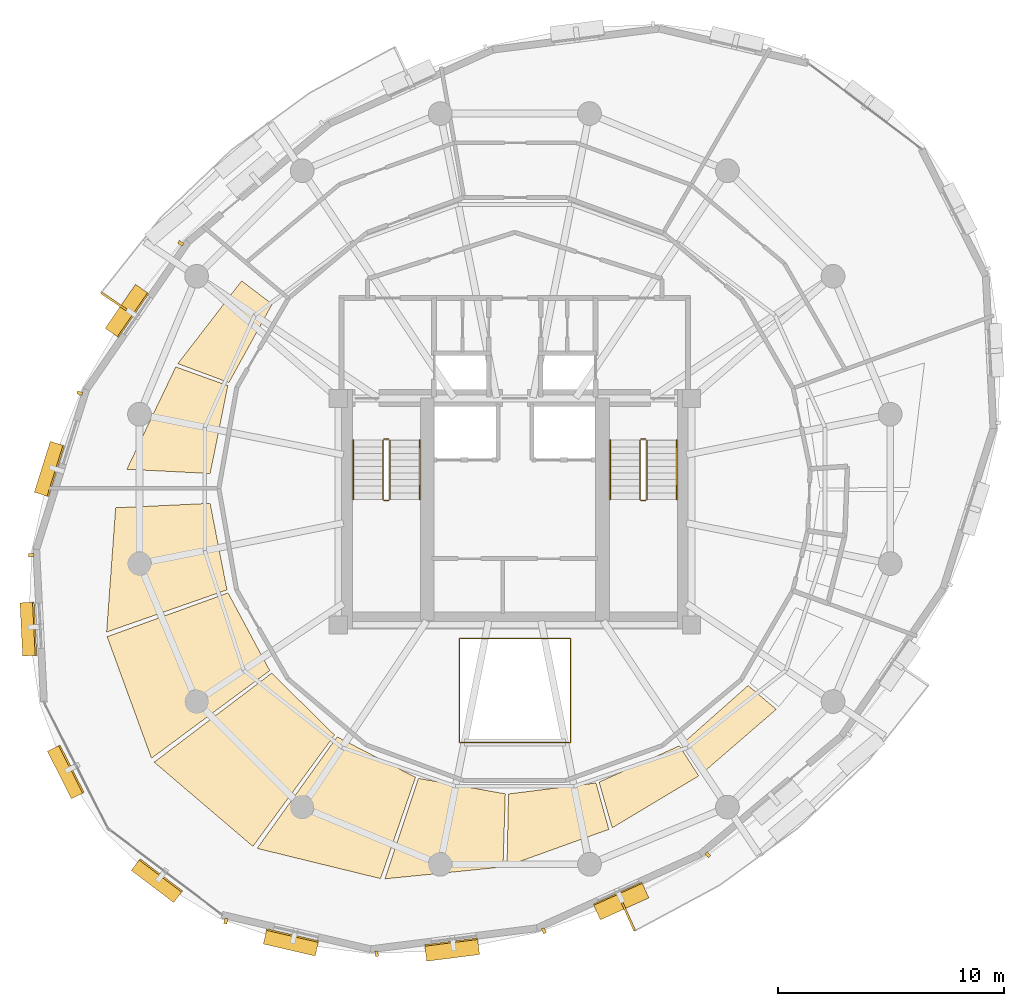
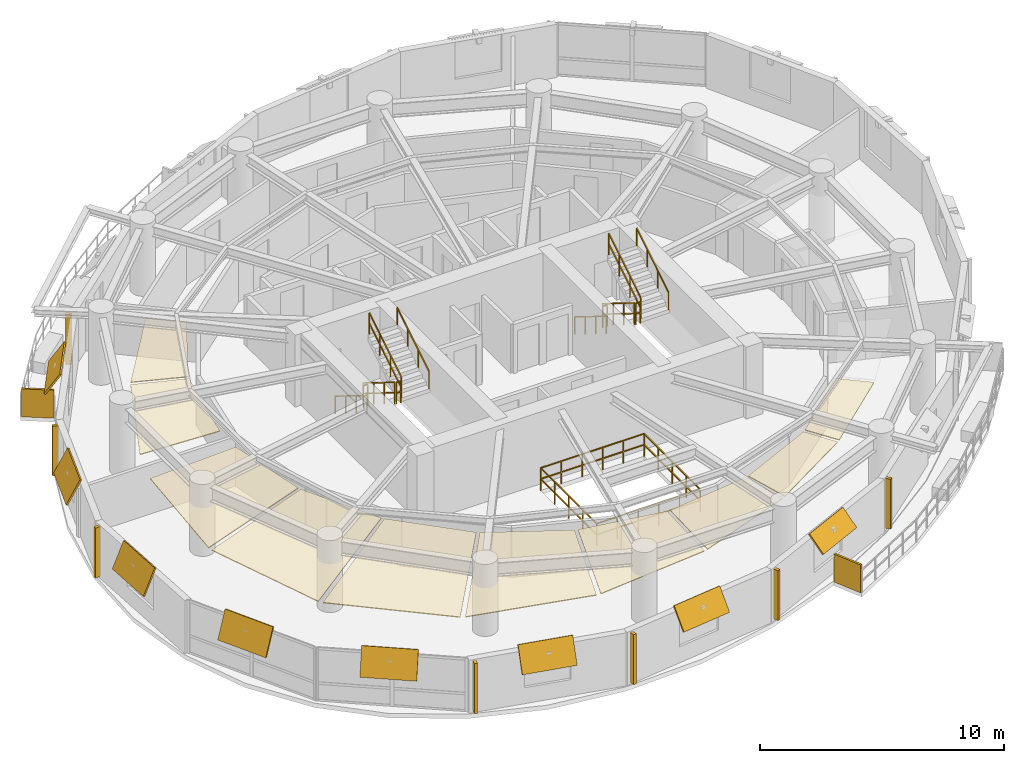
# One storey, part 11 of 12: 17 shading devices, 13 railings, 10 coverings.
"""IFC4 building model written with IfcOpenShell, lengths in metres."""

from ifc_helpers import new_model, si_unit, direction, frame, origin, origin_2d, place, context, subcontext, project, spatial, polyline, rectangle, outline, extrude, material, layer, layer_set, type_object, element, save


model = new_model("IFC4")

# Units and contexts
model_context = context("Model", 3, precision=1e-05, world=origin(), true_north=direction((0.0, 1.0)))
body_context = subcontext(model_context, "Body", "Model", "MODEL_VIEW")
ifc_project = project(units=[si_unit("LENGTHUNIT", "METRE"), si_unit("AREAUNIT", "SQUARE_METRE"), si_unit("VOLUMEUNIT", "CUBIC_METRE"), si_unit("PLANEANGLEUNIT", "RADIAN"), si_unit("MASSUNIT", "GRAM", prefix="KILO"), si_unit("THERMODYNAMICTEMPERATUREUNIT", "KELVIN"), si_unit("POWERUNIT", "WATT")], contexts=[model_context])

# Site, building, storey
site_placement = place(None, origin())
site = spatial("IfcSite", under=ifc_project, at=site_placement, CompositionType="ELEMENT")
building_placement = place(site_placement, origin())
building = spatial("IfcBuilding", under=site, at=building_placement, Name="Ocrelia Relay Tower", CompositionType="ELEMENT")
storey_placement = place(building_placement, frame((0.0, 0.0, 198.800048828125)))
storey = spatial("IfcBuildingStorey", under=building, at=storey_placement, Name="L48", CompositionType="ELEMENT", Elevation=198.800048828125)

# Coverings
ifc_material_1 = material(Name="Mineral-fiber acoustic ceiling tile", Category="gypsum")
ifc_layer_1 = layer(ifc_material_1, 0.0400390625, Name="Mineral-fiber acoustic ceiling tile")
ifc_layer_set_1 = layer_set([ifc_layer_1], Name="Mineral-fiber acoustic ceiling tile")
covering_type = type_object("IfcCoveringType", Name="COV-CEIL-ACOUSTIC", PredefinedType="CEILING", material=ifc_layer_set_1)
covering_1_placement = place(storey_placement, frame((0.0, 0.0, 2.3798828125)))
element("IfcCovering", 1, at=covering_1_placement, inside=storey, type_object=covering_type, Name="L48 Platform Office E Suspended Ceiling 1", PredefinedType="CEILING", context=body_context, shape_type="SweptSolid", body=[
    extrude(outline(polyline([(23.284912109375, 34.16259765625), (21.937744140625, 35.18896484375), (19.118896484375, 31.5341796875), (21.374755859375, 30.6953125), (23.284912109375, 34.16259765625)])), origin(), (0.0, 0.0, 1.0), 0.0400390625),
])
covering_2_placement = place(storey_placement, frame((0.0, 0.0, 2.3798828125)))
element("IfcCovering", 2, at=covering_2_placement, inside=storey, type_object=covering_type, Name="L48 Platform Office E Suspended Ceiling 2", PredefinedType="CEILING", context=body_context, shape_type="SweptSolid", body=[
    extrude(outline(polyline([(21.326416015625, 30.562744140625), (19.028564453125, 31.39013671875), (16.8662109375, 26.867919921875), (20.54736328125, 26.681396484375), (21.326416015625, 30.562744140625)])), origin(), (0.0, 0.0, 1.0), 0.0400390625),
])
covering_3_placement = place(storey_placement, frame((0.0, 0.0, 2.3798828125)))
element("IfcCovering", 3, at=covering_3_placement, inside=storey, type_object=covering_type, Name="L48 Monitoring Office F Suspended Ceiling 1", PredefinedType="CEILING", context=body_context, shape_type="SweptSolid", body=[
    extrude(outline(polyline([(20.544921875, 25.365478515625), (16.37158203125, 25.168701171875), (15.972900390625, 19.67919921875), (21.288818359375, 21.54296875), (20.544921875, 25.365478515625)])), origin(), (0.0, 0.0, 1.0), 0.0400390625),
])
covering_4_placement = place(storey_placement, frame((0.0, 0.0, 2.3798828125)))
element("IfcCovering", 4, at=covering_4_placement, inside=storey, type_object=covering_type, Name="L48 Monitoring Office F Suspended Ceiling 2", PredefinedType="CEILING", context=body_context, shape_type="SweptSolid", body=[
    extrude(outline(polyline([(21.336181640625, 21.41015625), (15.996337890625, 19.474853515625), (17.95361328125, 14.10693359375), (23.17822265625, 17.979248046875), (21.336181640625, 21.41015625)])), origin(), (0.0, 0.0, 1.0), 0.0400390625),
])
covering_5_placement = place(storey_placement, frame((0.0, 0.0, 2.3798828125)))
element("IfcCovering", 5, at=covering_5_placement, inside=storey, type_object=covering_type, Name="L48 Monitoring Office F Suspended Ceiling 3", PredefinedType="CEILING", context=body_context, shape_type="SweptSolid", body=[
    extrude(outline(polyline([(23.262939453125, 17.866455078125), (18.072021484375, 13.934326171875), (22.43408203125, 10.21630859375), (26.0380859375, 15.135009765625), (23.262939453125, 17.866455078125)])), origin(), (0.0, 0.0, 1.0), 0.0400390625),
])
covering_6_placement = place(storey_placement, frame((0.0, 0.0, 2.3798828125)))
element("IfcCovering", 6, at=covering_6_placement, inside=storey, type_object=covering_type, Name="L48 Monitoring Office F Suspended Ceiling 4", PredefinedType="CEILING", context=body_context, shape_type="SweptSolid", body=[
    extrude(outline(polyline([(26.15234375, 15.052001953125), (22.62109375, 10.12548828125), (28.07080078125, 8.791259765625), (29.612060546875, 13.2646484375), (26.15234375, 15.052001953125)])), origin(), (0.0, 0.0, 1.0), 0.0400390625),
])
covering_7_placement = place(storey_placement, frame((0.0, 0.0, 2.3798828125)))
element("IfcCovering", 7, at=covering_7_placement, inside=storey, type_object=covering_type, Name="L48 Monitoring Office F Suspended Ceiling 5", PredefinedType="CEILING", context=body_context, shape_type="SweptSolid", body=[
    extrude(outline(polyline([(29.74560546875, 13.219482421875), (28.2685546875, 8.78173828125), (33.478515625, 9.30517578125), (33.57958984375, 12.53662109375), (29.74560546875, 13.219482421875)])), origin(), (0.0, 0.0, 1.0), 0.0400390625),
])
covering_8_placement = place(storey_placement, frame((0.0, 0.0, 2.3798828125)))
element("IfcCovering", 8, at=covering_8_placement, inside=storey, type_object=covering_type, Name="L48 Monitoring Office F Suspended Ceiling 6", PredefinedType="CEILING", context=body_context, shape_type="SweptSolid", body=[
    extrude(outline(polyline([(33.720458984375, 12.532958984375), (33.654296875, 9.347412109375), (38.150390625, 10.9658203125), (37.584716796875, 13.015625), (33.720458984375, 12.532958984375)])), origin(), (0.0, 0.0, 1.0), 0.0400390625),
])
covering_9_placement = place(storey_placement, frame((0.0, 0.0, 2.3798828125)))
element("IfcCovering", 9, at=covering_9_placement, inside=storey, type_object=covering_type, Name="L48 Monitoring Office F Suspended Ceiling 7", PredefinedType="CEILING", context=body_context, shape_type="SweptSolid", body=[
    extrude(outline(polyline([(37.720458984375, 13.053955078125), (38.2998046875, 11.03759765625), (42.1220703125, 13.326904296875), (41.268310546875, 14.6591796875), (37.720458984375, 13.053955078125)])), origin(), (0.0, 0.0, 1.0), 0.0400390625),
])
covering_10_placement = place(storey_placement, frame((0.0, 0.0, 2.3798828125)))
element("IfcCovering", 10, at=covering_10_placement, inside=storey, type_object=covering_type, Name="L48 Monitoring Office F Suspended Ceiling 8", PredefinedType="CEILING", context=body_context, shape_type="SweptSolid", body=[
    extrude(outline(polyline([(41.38671875, 14.73583984375), (42.249755859375, 13.419677734375), (45.546142578125, 16.26953125), (44.300048828125, 17.319580078125), (41.38671875, 14.73583984375)])), origin(), (0.0, 0.0, 1.0), 0.0400390625),
])

# Railings
ifc_material_2 = material(Name="Steel S355 atrium balustrade", Category="steel")
railing_type_1 = type_object("IfcRailingType", Name="RL-INT-GUARD-115", PredefinedType="GUARDRAIL", material=ifc_material_2)
railing_1_placement = place(storey_placement, frame((31.550048828125, 14.800048828125, 0.0)))
element("IfcRailing", 11, at=railing_1_placement, inside=storey, type_object=railing_type_1, Name="L48 Multi-Zone Interior Atrium Guard", PredefinedType="GUARDRAIL", context=body_context, shape_type="SweptSolid", body=[
    extrude(rectangle(XDim=0.048095703125, YDim=0.048095703125, at=origin_2d()), frame((0.0, 0.0, 1.1259765625), z_axis=(1.0, 0.0, 0.0), x_axis=(0.0, 1.0, 0.0)), (0.0, 0.0, 1.0), 4.89990234375),
    extrude(rectangle(XDim=0.048095703125, YDim=0.048095703125, at=origin_2d()), frame((0.0, 0.0, 0.574951171875), z_axis=(1.0, 0.0, 0.0), x_axis=(0.0, 1.0, 0.0)), (0.0, 0.0, 1.0), 4.89990234375),
    extrude(rectangle(XDim=0.048095703125, YDim=0.048095703125, at=origin_2d()), frame((4.89990234375, 0.0, 1.1259765625), z_axis=(0.0, 1.0, 0.0), x_axis=(-1.0, 0.0, 0.0)), (0.0, 0.0, 1.0), 4.599853515625),
    extrude(rectangle(XDim=0.048095703125, YDim=0.048095703125, at=origin_2d()), frame((4.89990234375, 0.0, 0.574951171875), z_axis=(0.0, 1.0, 0.0), x_axis=(-1.0, 0.0, 0.0)), (0.0, 0.0, 1.0), 4.599853515625),
    extrude(rectangle(XDim=0.048095703125, YDim=0.048095703125, at=origin_2d()), frame((4.89990234375, 4.599853515625, 1.1259765625), z_axis=(-1.0, 0.0, 0.0), x_axis=(0.0, -1.0, 0.0)), (0.0, 0.0, 1.0), 4.89990234375),
    extrude(rectangle(XDim=0.048095703125, YDim=0.048095703125, at=origin_2d()), frame((4.89990234375, 4.599853515625, 0.574951171875), z_axis=(-1.0, 0.0, 0.0), x_axis=(0.0, -1.0, 0.0)), (0.0, 0.0, 1.0), 4.89990234375),
    extrude(rectangle(XDim=0.048095703125, YDim=0.048095703125, at=origin_2d()), frame((0.0, 4.599853515625, 1.1259765625), z_axis=(0.0, -1.0, 0.0), x_axis=(1.0, 0.0, 0.0)), (0.0, 0.0, 1.0), 4.599853515625),
    extrude(rectangle(XDim=0.048095703125, YDim=0.048095703125, at=origin_2d()), frame((0.0, 4.599853515625, 0.574951171875), z_axis=(0.0, -1.0, 0.0), x_axis=(1.0, 0.0, 0.0)), (0.0, 0.0, 1.0), 4.599853515625),
    extrude(rectangle(XDim=0.0419921875, YDim=0.0419921875, at=origin_2d()), origin(), (0.0, 0.0, 1.0), 1.101806640625),
    extrude(rectangle(XDim=0.0419921875, YDim=0.0419921875, at=origin_2d()), frame((0.97998046875, 0.0, 0.0)), (0.0, 0.0, 1.0), 1.101806640625),
    extrude(rectangle(XDim=0.0419921875, YDim=0.0419921875, at=origin_2d()), frame((1.9599609375, 0.0, 0.0)), (0.0, 0.0, 1.0), 1.101806640625),
    extrude(rectangle(XDim=0.0419921875, YDim=0.0419921875, at=origin_2d()), frame((2.93994140625, 0.0, 0.0)), (0.0, 0.0, 1.0), 1.101806640625),
    extrude(rectangle(XDim=0.0419921875, YDim=0.0419921875, at=origin_2d()), frame((3.919921875, 0.0, 0.0)), (0.0, 0.0, 1.0), 1.101806640625),
    extrude(rectangle(XDim=0.0419921875, YDim=0.0419921875, at=origin_2d()), frame((4.89990234375, 0.0, 0.0)), (0.0, 0.0, 1.0), 1.101806640625),
    extrude(rectangle(XDim=0.0419921875, YDim=0.0419921875, at=origin_2d()), frame((4.89990234375, 1.14990234375, 0.0)), (0.0, 0.0, 1.0), 1.101806640625),
    extrude(rectangle(XDim=0.0419921875, YDim=0.0419921875, at=origin_2d()), frame((4.89990234375, 2.2998046875, 0.0)), (0.0, 0.0, 1.0), 1.101806640625),
    extrude(rectangle(XDim=0.0419921875, YDim=0.0419921875, at=origin_2d()), frame((4.89990234375, 3.449951171875, 0.0)), (0.0, 0.0, 1.0), 1.101806640625),
    extrude(rectangle(XDim=0.0419921875, YDim=0.0419921875, at=origin_2d()), frame((4.89990234375, 4.599853515625, 0.0)), (0.0, 0.0, 1.0), 1.101806640625),
    extrude(rectangle(XDim=0.0419921875, YDim=0.0419921875, at=origin_2d()), frame((3.919921875, 4.599853515625, 0.0)), (0.0, 0.0, 1.0), 1.101806640625),
    extrude(rectangle(XDim=0.0419921875, YDim=0.0419921875, at=origin_2d()), frame((2.93994140625, 4.599853515625, 0.0)), (0.0, 0.0, 1.0), 1.101806640625),
    extrude(rectangle(XDim=0.0419921875, YDim=0.0419921875, at=origin_2d()), frame((1.9599609375, 4.599853515625, 0.0)), (0.0, 0.0, 1.0), 1.101806640625),
    extrude(rectangle(XDim=0.0419921875, YDim=0.0419921875, at=origin_2d()), frame((0.97998046875, 4.599853515625, 0.0)), (0.0, 0.0, 1.0), 1.101806640625),
    extrude(rectangle(XDim=0.0419921875, YDim=0.0419921875, at=origin_2d()), frame((0.0, 4.599853515625, 0.0)), (0.0, 0.0, 1.0), 1.101806640625),
    extrude(rectangle(XDim=0.0419921875, YDim=0.0419921875, at=origin_2d()), frame((0.0, 3.449951171875, 0.0)), (0.0, 0.0, 1.0), 1.101806640625),
    extrude(rectangle(XDim=0.0419921875, YDim=0.0419921875, at=origin_2d()), frame((0.0, 2.2998046875, 0.0)), (0.0, 0.0, 1.0), 1.101806640625),
    extrude(rectangle(XDim=0.0419921875, YDim=0.0419921875, at=origin_2d()), frame((0.0, 1.14990234375, 0.0)), (0.0, 0.0, 1.0), 1.101806640625),
])
ifc_material_3 = material(Name="Steel S355 balustrade", Category="steel")
railing_type_2 = type_object("IfcRailingType", Name="RL-STAIR-GUARD", PredefinedType="GUARDRAIL", material=ifc_material_3)
railing_2_placement = place(storey_placement, frame((28.179931640625, 28.14990234375, 0.179931640625)))
element("IfcRailing", 12, at=railing_2_placement, inside=storey, type_object=railing_type_2, Name="L48 ST1 stair guard 1", PredefinedType="GUARDRAIL", context=body_context, shape_type="SweptSolid", body=[
    extrude(rectangle(XDim=0.048095703125, YDim=0.048095703125, at=origin_2d()), frame((0.0, 0.0, 1.076171875), z_axis=(0.0, -0.849610693518, 0.52741034258), x_axis=(1.0, 0.0, 0.0)), (0.0, 0.0, 1.0), 3.07177734375),
    extrude(rectangle(XDim=0.048095703125, YDim=0.048095703125, at=origin_2d()), frame((0.0, 0.0, 0.550048828125), z_axis=(0.0, -0.849610693518, 0.52741034258), x_axis=(1.0, 0.0, 0.0)), (0.0, 0.0, 1.0), 3.07177734375),
    extrude(rectangle(XDim=0.0419921875, YDim=0.0419921875, at=origin_2d()), origin(), (0.0, 0.0, 1.0), 1.052001953125),
    extrude(rectangle(XDim=0.0419921875, YDim=0.0419921875, at=origin_2d()), frame((0.0, -0.869873046875, 0.5400390625)), (0.0, 0.0, 1.0), 1.052001953125),
    extrude(rectangle(XDim=0.0419921875, YDim=0.0419921875, at=origin_2d()), frame((0.0, -1.739990234375, 1.080078125)), (0.0, 0.0, 1.0), 1.052001953125),
    extrude(rectangle(XDim=0.0419921875, YDim=0.0419921875, at=origin_2d()), frame((0.0, -2.60986328125, 1.6201171875)), (0.0, 0.0, 1.0), 1.052001953125),
])
railing_3_placement = place(storey_placement, frame((28.22998046875, 25.489990234375, 1.800048828125)))
element("IfcRailing", 13, at=railing_3_placement, inside=storey, type_object=railing_type_2, Name="L48 ST1 stair guard 2", PredefinedType="GUARDRAIL", context=body_context, shape_type="SweptSolid", body=[
    extrude(rectangle(XDim=0.048095703125, YDim=0.048095703125, at=origin_2d()), frame((0.0, 0.0, 1.076171875), z_axis=(1.0, 0.0, 0.0), x_axis=(0.0, 1.0, 0.0)), (0.0, 0.0, 1.0), 0.199951171875),
    extrude(rectangle(XDim=0.048095703125, YDim=0.048095703125, at=origin_2d()), frame((0.0, 0.0, 0.550048828125), z_axis=(1.0, 0.0, 0.0), x_axis=(0.0, 1.0, 0.0)), (0.0, 0.0, 1.0), 0.199951171875),
    extrude(rectangle(XDim=0.0419921875, YDim=0.0419921875, at=origin_2d()), origin(), (0.0, 0.0, 1.0), 1.052001953125),
    extrude(rectangle(XDim=0.0419921875, YDim=0.0419921875, at=origin_2d()), frame((0.199951171875, 0.0, 0.0)), (0.0, 0.0, 1.0), 1.052001953125),
])
railing_4_placement = place(storey_placement, frame((28.47998046875, 25.5400390625, 1.97998046875)))
element("IfcRailing", 14, at=railing_4_placement, inside=storey, type_object=railing_type_2, Name="L48 ST1 stair guard 3", PredefinedType="GUARDRAIL", context=body_context, shape_type="SweptSolid", body=[
    extrude(rectangle(XDim=0.048095703125, YDim=0.048095703125, at=origin_2d()), frame((0.0, 0.0, 1.076171875), z_axis=(0.0, 0.849646306263, 0.527352969322), x_axis=(-1.0, 0.0, 0.0)), (0.0, 0.0, 1.0), 3.07177734375),
    extrude(rectangle(XDim=0.048095703125, YDim=0.048095703125, at=origin_2d()), frame((0.0, 0.0, 0.550048828125), z_axis=(0.0, 0.849646306263, 0.527352969322), x_axis=(-1.0, 0.0, 0.0)), (0.0, 0.0, 1.0), 3.07177734375),
    extrude(rectangle(XDim=0.0419921875, YDim=0.0419921875, at=origin_2d()), origin(), (0.0, 0.0, 1.0), 1.052001953125),
    extrude(rectangle(XDim=0.0419921875, YDim=0.0419921875, at=origin_2d()), frame((0.0, 0.869873046875, 0.5400390625)), (0.0, 0.0, 1.0), 1.052001953125),
    extrude(rectangle(XDim=0.0419921875, YDim=0.0419921875, at=origin_2d()), frame((0.0, 1.739990234375, 1.079833984375)), (0.0, 0.0, 1.0), 1.052001953125),
    extrude(rectangle(XDim=0.0419921875, YDim=0.0419921875, at=origin_2d()), frame((0.0, 2.60986328125, 1.619873046875)), (0.0, 0.0, 1.0), 1.052001953125),
])
railing_5_placement = place(storey_placement, frame((28.22998046875, 28.199951171875, 0.0)))
element("IfcRailing", 15, at=railing_5_placement, inside=storey, type_object=railing_type_2, Name="L48 ST1 stair guard 4", PredefinedType="GUARDRAIL", context=body_context, shape_type="SweptSolid", body=[
    extrude(rectangle(XDim=0.048095703125, YDim=0.048095703125, at=origin_2d()), frame((0.0, 0.0, 1.076171875), z_axis=(1.0, 0.0, 0.0), x_axis=(0.0, 1.0, 0.0)), (0.0, 0.0, 1.0), 0.199951171875),
    extrude(rectangle(XDim=0.048095703125, YDim=0.048095703125, at=origin_2d()), frame((0.0, 0.0, 0.550048828125), z_axis=(1.0, 0.0, 0.0), x_axis=(0.0, 1.0, 0.0)), (0.0, 0.0, 1.0), 0.199951171875),
    extrude(rectangle(XDim=0.0419921875, YDim=0.0419921875, at=origin_2d()), origin(), (0.0, 0.0, 1.0), 1.052001953125),
    extrude(rectangle(XDim=0.0419921875, YDim=0.0419921875, at=origin_2d()), frame((0.199951171875, 0.0, 0.0)), (0.0, 0.0, 1.0), 1.052001953125),
])
railing_6_placement = place(storey_placement, frame((39.530029296875, 28.14990234375, 0.179931640625)))
element("IfcRailing", 16, at=railing_6_placement, inside=storey, type_object=railing_type_2, Name="L48 ST2 stair guard 1", PredefinedType="GUARDRAIL", context=body_context, shape_type="SweptSolid", body=[
    extrude(rectangle(XDim=0.048095703125, YDim=0.048095703125, at=origin_2d()), frame((0.0, 0.0, 1.076171875), z_axis=(0.0, -0.849610693518, 0.52741034258), x_axis=(1.0, 0.0, 0.0)), (0.0, 0.0, 1.0), 3.07177734375),
    extrude(rectangle(XDim=0.048095703125, YDim=0.048095703125, at=origin_2d()), frame((0.0, 0.0, 0.550048828125), z_axis=(0.0, -0.849610693518, 0.52741034258), x_axis=(1.0, 0.0, 0.0)), (0.0, 0.0, 1.0), 3.07177734375),
    extrude(rectangle(XDim=0.0419921875, YDim=0.0419921875, at=origin_2d()), origin(), (0.0, 0.0, 1.0), 1.052001953125),
    extrude(rectangle(XDim=0.0419921875, YDim=0.0419921875, at=origin_2d()), frame((0.0, -0.869873046875, 0.5400390625)), (0.0, 0.0, 1.0), 1.052001953125),
    extrude(rectangle(XDim=0.0419921875, YDim=0.0419921875, at=origin_2d()), frame((0.0, -1.739990234375, 1.080078125)), (0.0, 0.0, 1.0), 1.052001953125),
    extrude(rectangle(XDim=0.0419921875, YDim=0.0419921875, at=origin_2d()), frame((0.0, -2.60986328125, 1.6201171875)), (0.0, 0.0, 1.0), 1.052001953125),
])
railing_7_placement = place(storey_placement, frame((39.580078125, 25.489990234375, 1.800048828125)))
element("IfcRailing", 17, at=railing_7_placement, inside=storey, type_object=railing_type_2, Name="L48 ST2 stair guard 2", PredefinedType="GUARDRAIL", context=body_context, shape_type="SweptSolid", body=[
    extrude(rectangle(XDim=0.048095703125, YDim=0.048095703125, at=origin_2d()), frame((0.0, 0.0, 1.076171875), z_axis=(1.0, 0.0, 0.0), x_axis=(0.0, 1.0, 0.0)), (0.0, 0.0, 1.0), 0.199951171875),
    extrude(rectangle(XDim=0.048095703125, YDim=0.048095703125, at=origin_2d()), frame((0.0, 0.0, 0.550048828125), z_axis=(1.0, 0.0, 0.0), x_axis=(0.0, 1.0, 0.0)), (0.0, 0.0, 1.0), 0.199951171875),
    extrude(rectangle(XDim=0.0419921875, YDim=0.0419921875, at=origin_2d()), origin(), (0.0, 0.0, 1.0), 1.052001953125),
    extrude(rectangle(XDim=0.0419921875, YDim=0.0419921875, at=origin_2d()), frame((0.199951171875, 0.0, 0.0)), (0.0, 0.0, 1.0), 1.052001953125),
])
railing_8_placement = place(storey_placement, frame((39.830078125, 25.5400390625, 1.97998046875)))
element("IfcRailing", 18, at=railing_8_placement, inside=storey, type_object=railing_type_2, Name="L48 ST2 stair guard 3", PredefinedType="GUARDRAIL", context=body_context, shape_type="SweptSolid", body=[
    extrude(rectangle(XDim=0.048095703125, YDim=0.048095703125, at=origin_2d()), frame((0.0, 0.0, 1.076171875), z_axis=(0.0, 0.849646306263, 0.527352969322), x_axis=(-1.0, 0.0, 0.0)), (0.0, 0.0, 1.0), 3.07177734375),
    extrude(rectangle(XDim=0.048095703125, YDim=0.048095703125, at=origin_2d()), frame((0.0, 0.0, 0.550048828125), z_axis=(0.0, 0.849646306263, 0.527352969322), x_axis=(-1.0, 0.0, 0.0)), (0.0, 0.0, 1.0), 3.07177734375),
    extrude(rectangle(XDim=0.0419921875, YDim=0.0419921875, at=origin_2d()), origin(), (0.0, 0.0, 1.0), 1.052001953125),
    extrude(rectangle(XDim=0.0419921875, YDim=0.0419921875, at=origin_2d()), frame((0.0, 0.869873046875, 0.5400390625)), (0.0, 0.0, 1.0), 1.052001953125),
    extrude(rectangle(XDim=0.0419921875, YDim=0.0419921875, at=origin_2d()), frame((0.0, 1.739990234375, 1.079833984375)), (0.0, 0.0, 1.0), 1.052001953125),
    extrude(rectangle(XDim=0.0419921875, YDim=0.0419921875, at=origin_2d()), frame((0.0, 2.60986328125, 1.619873046875)), (0.0, 0.0, 1.0), 1.052001953125),
])
railing_9_placement = place(storey_placement, frame((39.580078125, 28.199951171875, 0.0)))
element("IfcRailing", 19, at=railing_9_placement, inside=storey, type_object=railing_type_2, Name="L48 ST2 stair guard 4", PredefinedType="GUARDRAIL", context=body_context, shape_type="SweptSolid", body=[
    extrude(rectangle(XDim=0.048095703125, YDim=0.048095703125, at=origin_2d()), frame((0.0, 0.0, 1.076171875), z_axis=(1.0, 0.0, 0.0), x_axis=(0.0, 1.0, 0.0)), (0.0, 0.0, 1.0), 0.199951171875),
    extrude(rectangle(XDim=0.048095703125, YDim=0.048095703125, at=origin_2d()), frame((0.0, 0.0, 0.550048828125), z_axis=(1.0, 0.0, 0.0), x_axis=(0.0, 1.0, 0.0)), (0.0, 0.0, 1.0), 0.199951171875),
    extrude(rectangle(XDim=0.0419921875, YDim=0.0419921875, at=origin_2d()), origin(), (0.0, 0.0, 1.0), 1.052001953125),
    extrude(rectangle(XDim=0.0419921875, YDim=0.0419921875, at=origin_2d()), frame((0.199951171875, 0.0, 0.0)), (0.0, 0.0, 1.0), 1.052001953125),
])
ifc_material_4 = material(Name="Steel S355 tubular handrail", Category="steel")
railing_type_3 = type_object("IfcRailingType", Name="RL-STAIR-HAND", PredefinedType="HANDRAIL", material=ifc_material_4)
railing_10_placement = place(storey_placement, frame((26.860107421875, 28.14990234375, 0.179931640625)))
element("IfcRailing", 20, at=railing_10_placement, inside=storey, type_object=railing_type_3, Name="L48 ST1 stair handrail 1", PredefinedType="HANDRAIL", context=body_context, shape_type="SweptSolid", body=[
    extrude(rectangle(XDim=0.048095703125, YDim=0.048095703125, at=origin_2d()), frame((0.0, 0.0, 0.8759765625), z_axis=(0.0, -0.849610693518, 0.52741034258), x_axis=(1.0, 0.0, 0.0)), (0.0, 0.0, 1.0), 3.07177734375),
    extrude(rectangle(XDim=0.0419921875, YDim=0.0419921875, at=origin_2d()), origin(), (0.0, 0.0, 1.0), 0.851806640625),
    extrude(rectangle(XDim=0.0419921875, YDim=0.0419921875, at=origin_2d()), frame((0.0, -0.869873046875, 0.5400390625)), (0.0, 0.0, 1.0), 0.851806640625),
    extrude(rectangle(XDim=0.0419921875, YDim=0.0419921875, at=origin_2d()), frame((0.0, -1.739990234375, 1.080078125)), (0.0, 0.0, 1.0), 0.851806640625),
    extrude(rectangle(XDim=0.0419921875, YDim=0.0419921875, at=origin_2d()), frame((0.0, -2.60986328125, 1.6201171875)), (0.0, 0.0, 1.0), 0.851806640625),
])
railing_11_placement = place(storey_placement, frame((29.800048828125, 25.5400390625, 1.97998046875)))
element("IfcRailing", 21, at=railing_11_placement, inside=storey, type_object=railing_type_3, Name="L48 ST1 stair handrail 2", PredefinedType="HANDRAIL", context=body_context, shape_type="SweptSolid", body=[
    extrude(rectangle(XDim=0.048095703125, YDim=0.048095703125, at=origin_2d()), frame((0.0, 0.0, 0.8759765625), z_axis=(0.0, 0.849646306263, 0.527352969322), x_axis=(-1.0, 0.0, 0.0)), (0.0, 0.0, 1.0), 3.07177734375),
    extrude(rectangle(XDim=0.0419921875, YDim=0.0419921875, at=origin_2d()), origin(), (0.0, 0.0, 1.0), 0.851806640625),
    extrude(rectangle(XDim=0.0419921875, YDim=0.0419921875, at=origin_2d()), frame((0.0, 0.869873046875, 0.5400390625)), (0.0, 0.0, 1.0), 0.851806640625),
    extrude(rectangle(XDim=0.0419921875, YDim=0.0419921875, at=origin_2d()), frame((0.0, 1.739990234375, 1.079833984375)), (0.0, 0.0, 1.0), 0.851806640625),
    extrude(rectangle(XDim=0.0419921875, YDim=0.0419921875, at=origin_2d()), frame((0.0, 2.60986328125, 1.619873046875)), (0.0, 0.0, 1.0), 0.851806640625),
])
railing_12_placement = place(storey_placement, frame((38.2099609375, 28.14990234375, 0.179931640625)))
element("IfcRailing", 22, at=railing_12_placement, inside=storey, type_object=railing_type_3, Name="L48 ST2 stair handrail 1", PredefinedType="HANDRAIL", context=body_context, shape_type="SweptSolid", body=[
    extrude(rectangle(XDim=0.048095703125, YDim=0.048095703125, at=origin_2d()), frame((0.0, 0.0, 0.8759765625), z_axis=(0.0, -0.849610693518, 0.52741034258), x_axis=(1.0, 0.0, 0.0)), (0.0, 0.0, 1.0), 3.07177734375),
    extrude(rectangle(XDim=0.0419921875, YDim=0.0419921875, at=origin_2d()), origin(), (0.0, 0.0, 1.0), 0.851806640625),
    extrude(rectangle(XDim=0.0419921875, YDim=0.0419921875, at=origin_2d()), frame((0.0, -0.869873046875, 0.5400390625)), (0.0, 0.0, 1.0), 0.851806640625),
    extrude(rectangle(XDim=0.0419921875, YDim=0.0419921875, at=origin_2d()), frame((0.0, -1.739990234375, 1.080078125)), (0.0, 0.0, 1.0), 0.851806640625),
    extrude(rectangle(XDim=0.0419921875, YDim=0.0419921875, at=origin_2d()), frame((0.0, -2.60986328125, 1.6201171875)), (0.0, 0.0, 1.0), 0.851806640625),
])
railing_13_placement = place(storey_placement, frame((41.14990234375, 25.5400390625, 1.97998046875)))
element("IfcRailing", 23, at=railing_13_placement, inside=storey, type_object=railing_type_3, Name="L48 ST2 stair handrail 2", PredefinedType="HANDRAIL", context=body_context, shape_type="SweptSolid", body=[
    extrude(rectangle(XDim=0.048095703125, YDim=0.048095703125, at=origin_2d()), frame((0.0, 0.0, 0.8759765625), z_axis=(0.0, 0.849646306263, 0.527352969322), x_axis=(-1.0, 0.0, 0.0)), (0.0, 0.0, 1.0), 3.07177734375),
    extrude(rectangle(XDim=0.0419921875, YDim=0.0419921875, at=origin_2d()), origin(), (0.0, 0.0, 1.0), 0.851806640625),
    extrude(rectangle(XDim=0.0419921875, YDim=0.0419921875, at=origin_2d()), frame((0.0, 0.869873046875, 0.5400390625)), (0.0, 0.0, 1.0), 0.851806640625),
    extrude(rectangle(XDim=0.0419921875, YDim=0.0419921875, at=origin_2d()), frame((0.0, 1.739990234375, 1.079833984375)), (0.0, 0.0, 1.0), 0.851806640625),
    extrude(rectangle(XDim=0.0419921875, YDim=0.0419921875, at=origin_2d()), frame((0.0, 2.60986328125, 1.619873046875)), (0.0, 0.0, 1.0), 0.851806640625),
])

# Shading devices
ifc_material_5 = material(Name="Perforated oxide terracotta solar screen", Category="masonry")
ifc_layer_2 = layer(ifc_material_5, 0.090087890625, Name="Perforated oxide terracotta solar screen")
ifc_layer_set_2 = layer_set([ifc_layer_2], Name="Perforated oxide terracotta solar screen")
shading_device_type_1 = type_object("IfcShadingDeviceType", Name="SH-BALC-SCREEN", PredefinedType="USERDEFINED", material=ifc_layer_set_2)
for number, where, z_axis, x_axis, name in (
    (24, (16.29833984375, 34.281982421875, 0.0), (0.0, 0.0, 1.0), (-0.824556678115, 0.56577936033, 0.0), "L48 Balcony Perforated Terracotta Screen B1-2"),
    (25, (39.016357421875, 7.111328125, 0.0), (0.0, 0.0, 1.0), (0.410767461072, -0.911740145505, 0.0), "L48 Balcony Perforated Terracotta Screen B2-1"),
):
    element("IfcShadingDevice", number, at=place(storey_placement, frame(where, z_axis=z_axis, x_axis=x_axis)), inside=storey, type_object=shading_device_type_1, Name=name, ObjectType="SCREEN", PredefinedType="USERDEFINED", context=body_context, shape_type="SweptSolid", body=[
        extrude(rectangle(XDim=1.340087890625, YDim=0.090087890625, at=origin_2d()), origin(), (0.0, 0.0, 1.0), 1.39990234375),
    ])
ifc_material_6 = material(Name="Extruded oxide terracotta vertical baguette", Category="masonry")
shading_device_type_2 = type_object("IfcShadingDeviceType", Name="SH-TERR-BAGUETTE", PredefinedType="USERDEFINED", material=ifc_material_6)
for number, where, z_axis, x_axis, name in (
    (26, (19.249755859375, 36.849853515625, 0.079833984375), (0.0, 0.0, 1.0), (-0.567002541397, -0.823716042122, 0.0), "L48 Oxide Terracotta Vertical Baguette 06"),
    (27, (14.789306640625, 30.227294921875, 0.079833984375), (0.0, 0.0, 1.0), (-0.299115406191, -0.954216942723, 0.0), "L48 Oxide Terracotta Vertical Baguette 07"),
    (28, (12.64990234375, 23.077392578125, 0.079833984375), (0.0, 0.0, 1.0), (0.049828920053, -0.998757767793, 0.0), "L48 Oxide Terracotta Vertical Baguette 08"),
    (29, (21.23974609375, 6.92041015625, 0.079833984375), (0.0, 0.0, 1.0), (0.974147502507, -0.225912911006, 0.0), "L48 Oxide Terracotta Vertical Baguette 11"),
    (30, (27.895751953125, 5.476806640625, 0.079833984375), (0.0, 0.0, 1.0), (0.992103669772, 0.125420526332, 0.0), "L48 Oxide Terracotta Vertical Baguette 12"),
    (31, (35.28125, 6.491943359375, 0.079833984375), (0.0, 0.0, 1.0), (0.911106794906, 0.412170363171, 0.0), "L48 Oxide Terracotta Vertical Baguette 13"),
    (32, (42.52197265625, 9.847412109375, 0.079833984375), (0.0, 0.0, 1.0), (0.767167255551, 0.641447115521, 0.0), "L48 Oxide Terracotta Vertical Baguette 14"),
):
    element("IfcShadingDevice", number, at=place(storey_placement, frame(where, z_axis=z_axis, x_axis=x_axis)), inside=storey, type_object=shading_device_type_2, Name=name, ObjectType="BAGUETTE", PredefinedType="USERDEFINED", context=body_context, shape_type="SweptSolid", body=[
        extrude(rectangle(XDim=0.139892578125, YDim=0.239990234375, at=origin_2d()), origin(), (0.0, 0.0, 1.0), 2.5),
    ])
ifc_material_7 = material(Name="Extruded oxide terracotta fin", Category="masonry")
ifc_layer_3 = layer(ifc_material_7, 0.080078125, Name="Extruded oxide terracotta fin")
ifc_layer_set_3 = layer_set([ifc_layer_3], Name="Extruded oxide terracotta fin")
shading_device_type_3 = type_object("IfcShadingDeviceType", Name="SH-VISOR-FIN-DEEP", PredefinedType="USERDEFINED", material=ifc_layer_set_3)
shading_device_1_placement = place(storey_placement, frame((16.902587890625, 33.84130859375, 2.478515625), z_axis=(-0.695023875121, 0.478417662608, 0.536710679153), x_axis=(-0.567002541397, -0.823716042122, 0.0)))
element("IfcShadingDevice", 33, at=shading_device_1_placement, inside=storey, type_object=shading_device_type_3, Name="L48 Canted Terracotta Sun-Visor Fin 06", ObjectType="FIN", PredefinedType="USERDEFINED", context=body_context, shape_type="SweptSolid", body=[
    extrude(rectangle(XDim=2.35009765625, YDim=1.208984375, at=origin_2d()), origin(), (0.0, 0.0, 1.0), 0.080078125),
])
shading_device_2_placement = place(storey_placement, frame((13.4833984375, 26.869873046875, 2.48193359375), z_axis=(-0.852470114886, 0.267221145699, 0.449318998616), x_axis=(-0.299115406191, -0.954216942723, 0.0)))
element("IfcShadingDevice", 34, at=shading_device_2_placement, inside=storey, type_object=shading_device_type_3, Name="L48 Canted Terracotta Sun-Visor Fin 07", ObjectType="FIN", PredefinedType="USERDEFINED", context=body_context, shape_type="SweptSolid", body=[
    extrude(rectangle(XDim=2.35009765625, YDim=1.304931640625, at=origin_2d()), origin(), (0.0, 0.0, 1.0), 0.080078125),
])
shading_device_3_placement = place(storey_placement, frame((12.556640625, 19.8134765625, 2.483642578125), z_axis=(-0.910342821851, -0.045417819169, 0.411355282458), x_axis=(0.049828920053, -0.998757767793, 0.0)))
element("IfcShadingDevice", 35, at=shading_device_3_placement, inside=storey, type_object=shading_device_type_3, Name="L48 Canted Terracotta Sun-Visor Fin 08", ObjectType="FIN", PredefinedType="USERDEFINED", context=body_context, shape_type="SweptSolid", body=[
    extrude(rectangle(XDim=2.35009765625, YDim=1.344970703125, at=origin_2d()), origin(), (0.0, 0.0, 1.0), 0.080078125),
])
shading_device_4_placement = place(storey_placement, frame((14.2041015625, 13.521240234375, 2.483642578125), z_axis=(-0.813349969803, -0.412983568812, 0.409763832607), x_axis=(0.4527377224, -0.891643737552, 0.0)))
element("IfcShadingDevice", 36, at=shading_device_4_placement, inside=storey, type_object=shading_device_type_3, Name="L48 Canted Terracotta Sun-Visor Fin 09", ObjectType="FIN", PredefinedType="USERDEFINED", context=body_context, shape_type="SweptSolid", body=[
    extrude(rectangle(XDim=2.35009765625, YDim=1.346923828125, at=origin_2d()), origin(), (0.0, 0.0, 1.0), 0.080078125),
])
shading_device_5_placement = place(storey_placement, frame((18.2177734375, 8.732421875, 2.482666015625), z_axis=(-0.54314149477, -0.717651574924, 0.435859534333), x_axis=(0.79737761196, -0.603480690615, 0.0)))
element("IfcShadingDevice", 37, at=shading_device_5_placement, inside=storey, type_object=shading_device_type_3, Name="L48 Canted Terracotta Sun-Visor Fin 10", ObjectType="FIN", PredefinedType="USERDEFINED", context=body_context, shape_type="SweptSolid", body=[
    extrude(rectangle(XDim=2.35009765625, YDim=1.319091796875, at=origin_2d()), origin(), (0.0, 0.0, 1.0), 0.080078125),
])
shading_device_6_placement = place(storey_placement, frame((24.1240234375, 6.01025390625, 2.48046875), z_axis=(-0.197050287888, -0.849690462398, 0.489078012338), x_axis=(0.974147502507, -0.225912911006, 0.0)))
element("IfcShadingDevice", 38, at=shading_device_6_placement, inside=storey, type_object=shading_device_type_3, Name="L48 Canted Terracotta Sun-Visor Fin 11", ObjectType="FIN", PredefinedType="USERDEFINED", context=body_context, shape_type="SweptSolid", body=[
    extrude(rectangle(XDim=2.35009765625, YDim=1.261962890625, at=origin_2d()), origin(), (0.0, 0.0, 1.0), 0.080078125),
])
shading_device_7_placement = place(storey_placement, frame((31.228515625, 5.689208984375, 2.47705078125), z_axis=(0.102713363092, -0.812485064757, 0.573862339406), x_axis=(0.992103669772, 0.125420526332, 0.0)))
element("IfcShadingDevice", 39, at=shading_device_7_placement, inside=storey, type_object=shading_device_type_3, Name="L48 Canted Terracotta Sun-Visor Fin 12", ObjectType="FIN", PredefinedType="USERDEFINED", context=body_context, shape_type="SweptSolid", body=[
    extrude(rectangle(XDim=2.35009765625, YDim=1.166015625, at=origin_2d()), origin(), (0.0, 0.0, 1.0), 0.080078125),
])
ifc_layer_4 = layer(ifc_material_7, 0.080078125, Name="Extruded oxide terracotta fin")
ifc_layer_set_4 = layer_set([ifc_layer_4], Name="Extruded oxide terracotta fin")
shading_device_type_4 = type_object("IfcShadingDeviceType", Name="SH-VISOR-FIN-MED", PredefinedType="USERDEFINED", material=ifc_layer_set_4)
shading_device_8_placement = place(storey_placement, frame((38.678466796875, 7.830322265625, 2.472412109375), z_axis=(0.298432565213, -0.659688231573, 0.689745925065), x_axis=(0.911106794906, 0.412170363171, 0.0)))
element("IfcShadingDevice", 40, at=shading_device_8_placement, inside=storey, type_object=shading_device_type_4, Name="L48 Canted Terracotta Sun-Visor Fin 13", ObjectType="FIN", PredefinedType="USERDEFINED", context=body_context, shape_type="SweptSolid", body=[
    extrude(rectangle(XDim=2.35009765625, YDim=1.02294921875, at=origin_2d()), origin(), (0.0, 0.0, 1.0), 0.080078125),
])

save(model, "model.ifc")
